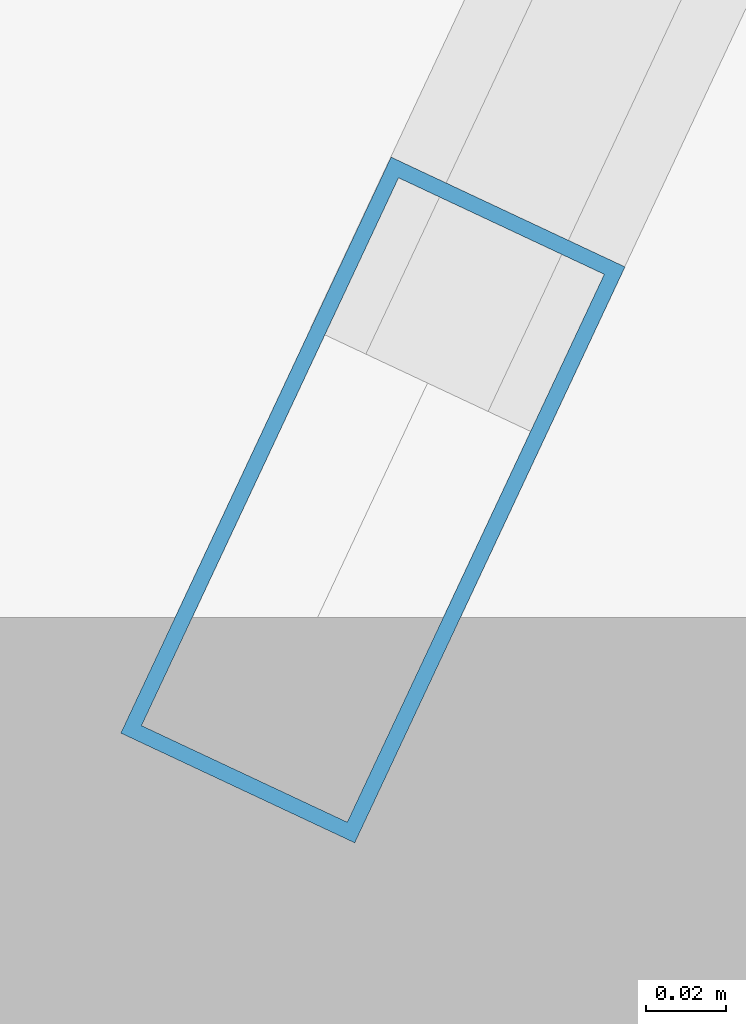
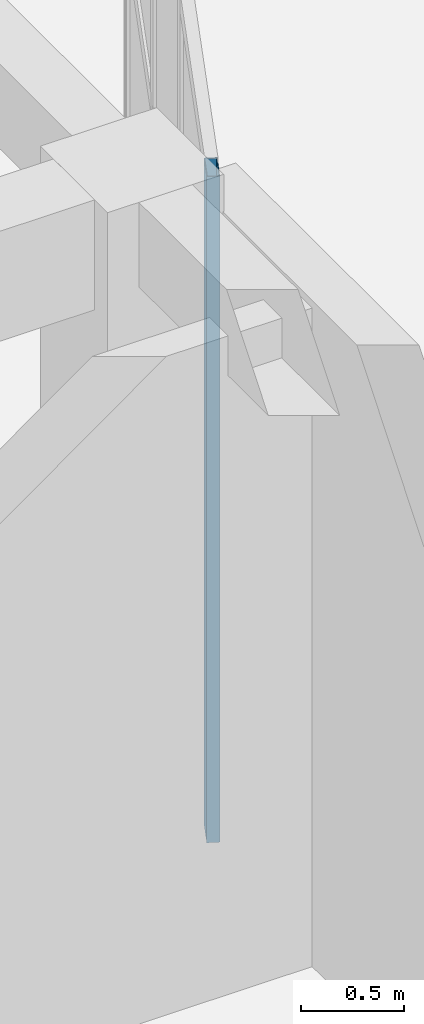
# One storey, part 23 of 114: 1 member, 1 element without a shape of its own.
"""IFC4 building model written with IfcOpenShell, lengths in metres."""

from ifc_helpers import new_model, si_unit, direction, frame, origin, origin_2d, place, context, subcontext, project, spatial, hollow_rectangle, extrude, material, layer, layer_set, material_profile, profile_set, type_object, element, aggregate, save


model = new_model("IFC4")

# Units and contexts
model_context = context("Model", 3, precision=1e-05, world=origin(), true_north=direction((0.0, 1.0)))
body_context = subcontext(model_context, "Body", "Model", "MODEL_VIEW")
ifc_project = project(units=[si_unit("LENGTHUNIT", "METRE"), si_unit("AREAUNIT", "SQUARE_METRE"), si_unit("VOLUMEUNIT", "CUBIC_METRE"), si_unit("PLANEANGLEUNIT", "RADIAN"), si_unit("MASSUNIT", "GRAM", prefix="KILO")], contexts=[model_context])

# Site, building, storey
site_placement = place(None, origin())
site = spatial("IfcSite", under=ifc_project, at=site_placement, CompositionType="ELEMENT")
building_placement = place(site_placement, origin())
building = spatial("IfcBuilding", under=site, at=building_placement, Name="Keldmere Railside Commons", CompositionType="ELEMENT")
storey_placement = place(building_placement, origin())
storey = spatial("IfcBuildingStorey", under=building, at=storey_placement, Name="L00", CompositionType="ELEMENT", Elevation=0.0)

# Curtain wall, member
ifc_material = material(Name="Thermally Broken Aluminium", Category="aluminium")
ifc_layer = layer(ifc_material, 0.159912109375, Name="Residential Ground Entrance Lobby CW 4000x3600")
ifc_layer_set = layer_set([ifc_layer], Name="Thermally Broken Aluminium")
curtain_wall_type = type_object("IfcCurtainWallType", Name="Residential Ground Entrance Lobby CW 4000x3600", PredefinedType="NOTDEFINED", material=ifc_layer_set)
curtain_wall_placement = place(storey_placement, origin())
curtain_wall = element("IfcCurtainWall", 1, at=curtain_wall_placement, inside=storey, type_object=curtain_wall_type, Name="CW-10 CW-L00-001", PredefinedType="NOTDEFINED")
ifc_material_profile = material_profile(ifc_material, hollow_rectangle(XDim=0.06494140625, YDim=0.159912109375, WallThickness=0.00390625, at=origin_2d()), Name="ALU-MULL-65x160")
ifc_profile_set = profile_set([ifc_material_profile], Name="Thermally Broken Aluminium")
member_type = type_object("IfcMemberType", Name="Unitised Curtain Wall Mullion 65x160", PredefinedType="MULLION", material=ifc_profile_set)
member_placement = place(storey_placement, frame((24.013916015625, 88.029541015625, 0.0), z_axis=(0.0, 0.0, 1.0), x_axis=(0.905306255478, -0.424759442264, 0.0)))
member = element("IfcMember", 2, at=member_placement, type_object=member_type, Name="CW-10 mullion 4", PredefinedType="MULLION", context=body_context, shape_type="SweptSolid", body=[
    extrude(hollow_rectangle(XDim=0.06494140625, YDim=0.159912109375, WallThickness=0.00390625, at=origin_2d()), origin(), (0.0, 0.0, 1.0), 3.93994140625),
])
aggregate(curtain_wall, [member])

save(model, "model.ifc")
